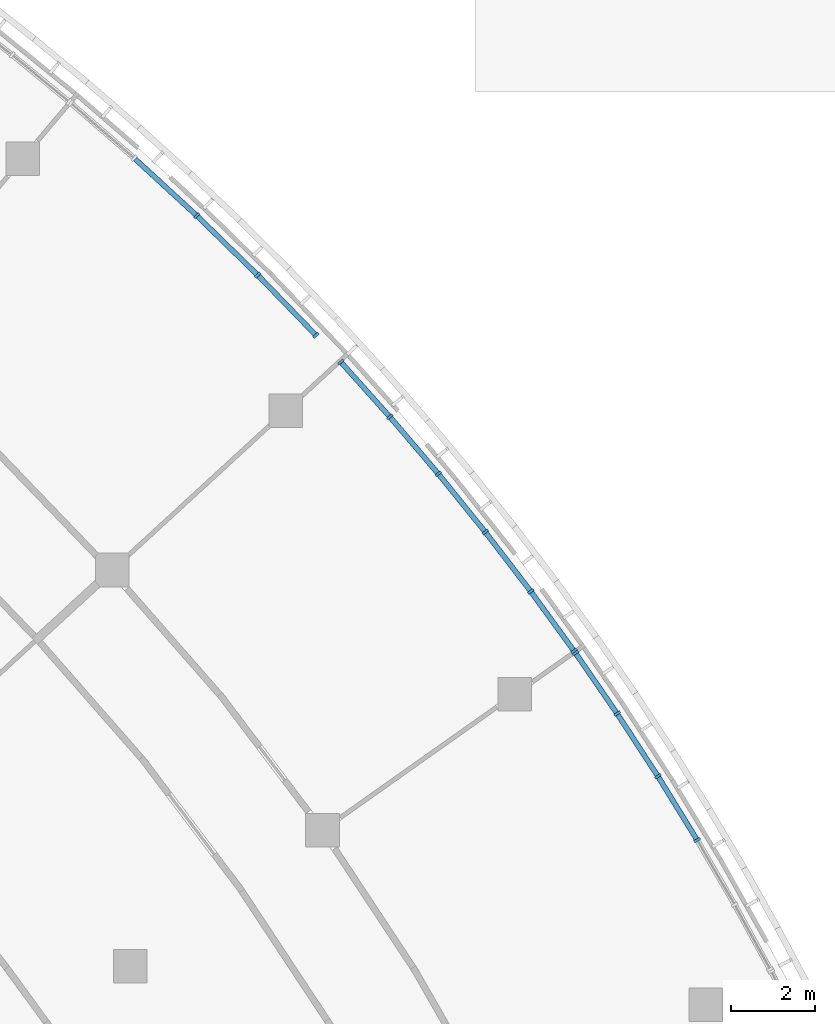
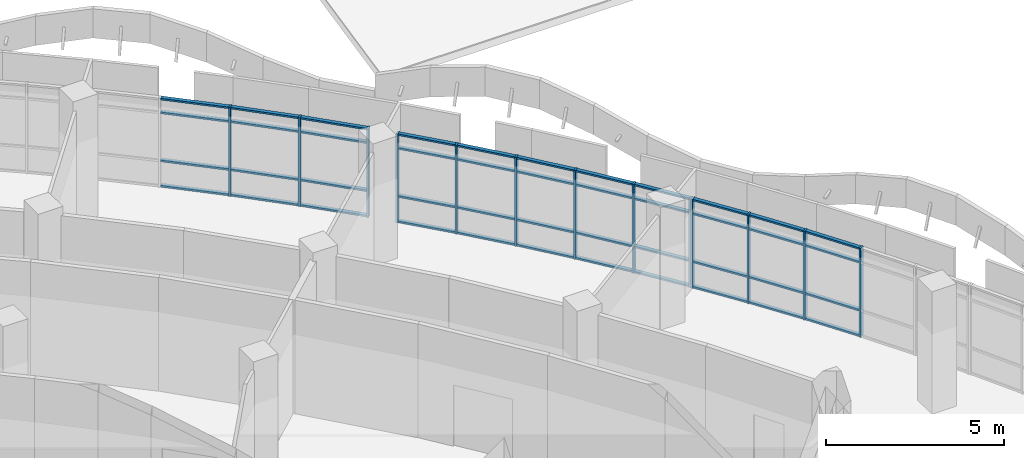
# One storey, part 14 of 137: 57 members, 3 elements without a shape of their own.
"""IFC4 building model written with IfcOpenShell, lengths in metres."""

from ifc_helpers import new_model, si_unit, direction, frame, origin, origin_2d, place, context, subcontext, project, spatial, rectangle, extrude, material, material_profile, profile_set, type_object, element, aggregate, save


model = new_model("IFC4")

# Units and contexts
model_context = context("Model", 3, precision=1e-05, world=origin(), true_north=direction((0.0, 1.0)))
body_context = subcontext(model_context, "Body", "Model", "MODEL_VIEW")
ifc_project = project(units=[si_unit("LENGTHUNIT", "METRE"), si_unit("AREAUNIT", "SQUARE_METRE"), si_unit("VOLUMEUNIT", "CUBIC_METRE"), si_unit("PLANEANGLEUNIT", "RADIAN"), si_unit("MASSUNIT", "GRAM", prefix="KILO")], contexts=[model_context])

# Site, building, storey
site_placement = place(None, origin())
site = spatial("IfcSite", under=ifc_project, at=site_placement, CompositionType="ELEMENT")
building_placement = place(site_placement, origin())
building = spatial("IfcBuilding", under=site, at=building_placement, Name="Bougainvillea Quay General Hospital", CompositionType="ELEMENT")
storey_placement = place(building_placement, frame((0.0, 0.0, 16.800048828125)))
storey = spatial("IfcBuildingStorey", under=building, at=storey_placement, Name="L03", CompositionType="ELEMENT", Elevation=16.800048828125)

# Curtain wall, members
ifc_material_1 = material(Name="Aluminium curtain wall system, powder-coated glazed", Category="aluminium")
curtain_wall_type = type_object("IfcCurtainWallType", Name="Unitised curtain wall CW-2100", PredefinedType="NOTDEFINED", material=ifc_material_1)
curtain_wall_1_placement = place(storey_placement, origin())
curtain_wall_1 = element("IfcCurtainWall", 1, at=curtain_wall_1_placement, inside=storey, type_object=curtain_wall_type, Name="CW-E03 a10b2", PredefinedType="NOTDEFINED")
ifc_material_2 = material(Name="Aluminium mullion, powder-coated charcoal", Category="aluminium")
ifc_material_profile_1 = material_profile(ifc_material_2, rectangle(XDim=0.159912109375, YDim=0.06005859375, at=origin_2d()))
ifc_profile_set_1 = profile_set([ifc_material_profile_1], Name="Aluminium mullion, powder-coated charcoal")
member_type_1 = type_object("IfcMemberType", Name="Curtain wall mullion 160x60", PredefinedType="MULLION", material=ifc_profile_set_1)
member_1_placement = place(storey_placement, frame((157.167236328125, 72.638427734375, 0.0), z_axis=(0.0, 0.0, 1.0), x_axis=(0.68769902724, 0.725995900769, 0.0)))
member_1 = element("IfcMember", 2, at=member_1_placement, type_object=member_type_1, Name="CW-E03 mullion 3", PredefinedType="MULLION", context=body_context, shape_type="SweptSolid", body=[
    extrude(rectangle(XDim=0.159912109375, YDim=0.06005859375, at=origin_2d()), origin(), (0.0, 0.0, 1.0), 3.050048828125),
])
member_2_placement = place(storey_placement, frame((158.61572265625, 71.225830078125, 0.0), z_axis=(0.0, 0.0, 1.0), x_axis=(0.708467492341, 0.705743446513, 0.0)))
member_2 = element("IfcMember", 3, at=member_2_placement, type_object=member_type_1, Name="CW-E03 mullion 4", PredefinedType="MULLION", context=body_context, shape_type="SweptSolid", body=[
    extrude(rectangle(XDim=0.159912109375, YDim=0.06005859375, at=origin_2d()), origin(), (0.0, 0.0, 1.0), 3.050048828125),
])
member_3_placement = place(storey_placement, frame((160.001953125, 69.793212890625, 0.0), z_axis=(0.0, 0.0, 1.0), x_axis=(0.718629234351, 0.695393430754, 0.0)))
member_3 = element("IfcMember", 4, at=member_3_placement, type_object=member_type_1, Name="CW-E03 mullion 5", PredefinedType="MULLION", context=body_context, shape_type="SweptSolid", body=[
    extrude(rectangle(XDim=0.159912109375, YDim=0.06005859375, at=origin_2d()), origin(), (0.0, 0.0, 1.0), 3.050048828125),
])

curtain_wall_2_placement = place(storey_placement, origin())
curtain_wall_2 = element("IfcCurtainWall", 5, at=curtain_wall_2_placement, inside=storey, type_object=curtain_wall_type, Name="CW-E04 a14b3", PredefinedType="NOTDEFINED")
member_4_placement = place(storey_placement, frame((160.5927734375, 69.15771484375, 0.0), z_axis=(0.0, 0.0, 1.0), x_axis=(0.745094309044, 0.666959122159, 0.0)))
member_4 = element("IfcMember", 6, at=member_4_placement, type_object=member_type_1, Name="CW-E04 mullion 1", PredefinedType="MULLION", context=body_context, shape_type="SweptSolid", body=[
    extrude(rectangle(XDim=0.159912109375, YDim=0.06005859375, at=origin_2d()), origin(), (0.0, 0.0, 1.0), 3.050048828125),
])
member_5_placement = place(storey_placement, frame((161.760009765625, 67.853759765625, 0.0), z_axis=(0.0, 0.0, 1.0), x_axis=(0.753545034628, 0.657396288997, 0.0)))
member_5 = element("IfcMember", 7, at=member_5_placement, type_object=member_type_1, Name="CW-E04 mullion 2", PredefinedType="MULLION", context=body_context, shape_type="SweptSolid", body=[
    extrude(rectangle(XDim=0.159912109375, YDim=0.06005859375, at=origin_2d()), origin(), (0.0, 0.0, 1.0), 3.050048828125),
])
member_6_placement = place(storey_placement, frame((162.913330078125, 66.497314453125, 0.0), z_axis=(0.0, 0.0, 1.0), x_axis=(0.7700769567, 0.637951001849, 0.0)))
member_6 = element("IfcMember", 8, at=member_6_placement, type_object=member_type_1, Name="CW-E04 mullion 3", PredefinedType="MULLION", context=body_context, shape_type="SweptSolid", body=[
    extrude(rectangle(XDim=0.159912109375, YDim=0.06005859375, at=origin_2d()), origin(), (0.0, 0.0, 1.0), 3.050048828125),
])
member_7_placement = place(storey_placement, frame((164.03125, 65.112060546875, 0.0), z_axis=(0.0, 0.0, 1.0), x_axis=(0.786107232438, 0.618090138337, 0.0)))
member_7 = element("IfcMember", 9, at=member_7_placement, type_object=member_type_1, Name="CW-E04 mullion 4", PredefinedType="MULLION", context=body_context, shape_type="SweptSolid", body=[
    extrude(rectangle(XDim=0.159912109375, YDim=0.06005859375, at=origin_2d()), origin(), (0.0, 0.0, 1.0), 3.050048828125),
])
member_8_placement = place(storey_placement, frame((165.11376953125, 63.69873046875, 0.0), z_axis=(0.0, 0.0, 1.0), x_axis=(0.801625419341, 0.597826636297, 0.0)))
member_8 = element("IfcMember", 10, at=member_8_placement, type_object=member_type_1, Name="CW-E04 mullion 5", PredefinedType="MULLION", context=body_context, shape_type="SweptSolid", body=[
    extrude(rectangle(XDim=0.159912109375, YDim=0.06005859375, at=origin_2d()), origin(), (0.0, 0.0, 1.0), 3.050048828125),
])
member_9_placement = place(storey_placement, frame((166.14208984375, 62.282470703125, 0.0), z_axis=(0.0, 0.0, 1.0), x_axis=(0.809189307232, 0.587548010856, 0.0)))
member_9 = element("IfcMember", 11, at=member_9_placement, type_object=member_type_1, Name="CW-E04 mullion 6", PredefinedType="MULLION", context=body_context, shape_type="SweptSolid", body=[
    extrude(rectangle(XDim=0.159912109375, YDim=0.06005859375, at=origin_2d()), origin(), (0.0, 0.0, 1.0), 3.050048828125),
])

curtain_wall_3_placement = place(storey_placement, origin())
curtain_wall_3 = element("IfcCurtainWall", 12, at=curtain_wall_3_placement, inside=storey, type_object=curtain_wall_type, Name="CW-E05 a14b4", PredefinedType="NOTDEFINED")
member_10_placement = place(storey_placement, frame((166.1767578125, 62.2333984375, 0.0), z_axis=(0.0, 0.0, 1.0), x_axis=(0.823920512723, 0.566705380876, 0.0)))
member_10 = element("IfcMember", 13, at=member_10_placement, type_object=member_type_1, Name="CW-E05 mullion 1", PredefinedType="MULLION", context=body_context, shape_type="SweptSolid", body=[
    extrude(rectangle(XDim=0.159912109375, YDim=0.06005859375, at=origin_2d()), origin(), (0.0, 0.0, 1.0), 3.050048828125),
])
member_11_placement = place(storey_placement, frame((167.168701171875, 60.791259765625, 0.0), z_axis=(0.0, 0.0, 1.0), x_axis=(0.831085431161, 0.556144770821, 0.0)))
member_11 = element("IfcMember", 14, at=member_11_placement, type_object=member_type_1, Name="CW-E05 mullion 2", PredefinedType="MULLION", context=body_context, shape_type="SweptSolid", body=[
    extrude(rectangle(XDim=0.159912109375, YDim=0.06005859375, at=origin_2d()), origin(), (0.0, 0.0, 1.0), 3.050048828125),
])
member_12_placement = place(storey_placement, frame((168.1396484375, 59.29931640625, 0.0), z_axis=(0.0, 0.0, 1.0), x_axis=(0.84500806513, 0.534753559937, 0.0)))
member_12 = element("IfcMember", 15, at=member_12_placement, type_object=member_type_1, Name="CW-E05 mullion 3", PredefinedType="MULLION", context=body_context, shape_type="SweptSolid", body=[
    extrude(rectangle(XDim=0.159912109375, YDim=0.06005859375, at=origin_2d()), origin(), (0.0, 0.0, 1.0), 3.050048828125),
])
member_13_placement = place(storey_placement, frame((169.072509765625, 57.782958984375, 0.0), z_axis=(0.0, 0.0, 1.0), x_axis=(0.858380240869, 0.513013997943, 0.0)))
member_13 = element("IfcMember", 16, at=member_13_placement, type_object=member_type_1, Name="CW-E05 mullion 4", PredefinedType="MULLION", context=body_context, shape_type="SweptSolid", body=[
    extrude(rectangle(XDim=0.159912109375, YDim=0.06005859375, at=origin_2d()), origin(), (0.0, 0.0, 1.0), 3.050048828125),
])

# Member
ifc_material_3 = material(Name="Aluminium transom, powder-coated charcoal", Category="aluminium")
ifc_material_profile_2 = material_profile(ifc_material_3, rectangle(XDim=0.1201171875, YDim=0.06005859375, at=origin_2d()))
ifc_profile_set_2 = profile_set([ifc_material_profile_2], Name="Aluminium transom, powder-coated charcoal")
member_type_2 = type_object("IfcMemberType", Name="Curtain wall transom 120x60", PredefinedType="USERDEFINED", material=ifc_profile_set_2)
member_14_placement = place(storey_placement, frame((155.7001953125, 73.988037109375, 0.030029296875), z_axis=(0.735903748974, -0.677086163089, 0.0), x_axis=(0.677086163089, 0.735903748974, 0.0)))
member_14 = element("IfcMember", 17, at=member_14_placement, type_object=member_type_2, Name="CW-E03 transom 2.1", ObjectType="TRANSOM", PredefinedType="USERDEFINED", context=body_context, shape_type="SweptSolid", body=[
    extrude(rectangle(XDim=0.1201171875, YDim=0.06005859375, at=origin_2d()), origin(), (0.0, 0.0, 1.0), 1.96337890625),
])

member_15_placement = place(storey_placement, frame((155.7001953125, 73.988037109375, 0.89990234375), z_axis=(0.735903748974, -0.677086163089, 0.0), x_axis=(0.677086163089, 0.735903748974, 0.0)))
member_15 = element("IfcMember", 18, at=member_15_placement, type_object=member_type_2, Name="CW-E03 transom 2.2", ObjectType="TRANSOM", PredefinedType="USERDEFINED", context=body_context, shape_type="SweptSolid", body=[
    extrude(rectangle(XDim=0.1201171875, YDim=0.06005859375, at=origin_2d()), origin(), (0.0, 0.0, 1.0), 1.96337890625),
])

member_16_placement = place(storey_placement, frame((155.7001953125, 73.988037109375, 2.550048828125), z_axis=(0.735903748974, -0.677086163089, 0.0), x_axis=(0.677086163089, 0.735903748974, 0.0)))
member_16 = element("IfcMember", 19, at=member_16_placement, type_object=member_type_2, Name="CW-E03 transom 2.3", ObjectType="TRANSOM", PredefinedType="USERDEFINED", context=body_context, shape_type="SweptSolid", body=[
    extrude(rectangle(XDim=0.1201171875, YDim=0.06005859375, at=origin_2d()), origin(), (0.0, 0.0, 1.0), 1.96337890625),
])

member_17_placement = place(storey_placement, frame((155.7001953125, 73.988037109375, 3.02001953125), z_axis=(0.735903748974, -0.677086163089, 0.0), x_axis=(0.677086163089, 0.735903748974, 0.0)))
member_17 = element("IfcMember", 20, at=member_17_placement, type_object=member_type_2, Name="CW-E03 transom 2.4", ObjectType="TRANSOM", PredefinedType="USERDEFINED", context=body_context, shape_type="SweptSolid", body=[
    extrude(rectangle(XDim=0.1201171875, YDim=0.06005859375, at=origin_2d()), origin(), (0.0, 0.0, 1.0), 1.96337890625),
])

member_18_placement = place(storey_placement, frame((157.188720703125, 72.617431640625, 0.030029296875), z_axis=(0.71594263895, -0.698159106317, 0.0), x_axis=(0.698159106317, 0.71594263895, 0.0)))
member_18 = element("IfcMember", 21, at=member_18_placement, type_object=member_type_2, Name="CW-E03 transom 3.1", ObjectType="TRANSOM", PredefinedType="USERDEFINED", context=body_context, shape_type="SweptSolid", body=[
    extrude(rectangle(XDim=0.1201171875, YDim=0.06005859375, at=origin_2d()), origin(), (0.0, 0.0, 1.0), 1.963134765625),
])

member_19_placement = place(storey_placement, frame((157.188720703125, 72.617431640625, 0.89990234375), z_axis=(0.71594263895, -0.698159106317, 0.0), x_axis=(0.698159106317, 0.71594263895, 0.0)))
member_19 = element("IfcMember", 22, at=member_19_placement, type_object=member_type_2, Name="CW-E03 transom 3.2", ObjectType="TRANSOM", PredefinedType="USERDEFINED", context=body_context, shape_type="SweptSolid", body=[
    extrude(rectangle(XDim=0.1201171875, YDim=0.06005859375, at=origin_2d()), origin(), (0.0, 0.0, 1.0), 1.963134765625),
])

member_20_placement = place(storey_placement, frame((157.188720703125, 72.617431640625, 2.550048828125), z_axis=(0.71594263895, -0.698159106317, 0.0), x_axis=(0.698159106317, 0.71594263895, 0.0)))
member_20 = element("IfcMember", 23, at=member_20_placement, type_object=member_type_2, Name="CW-E03 transom 3.3", ObjectType="TRANSOM", PredefinedType="USERDEFINED", context=body_context, shape_type="SweptSolid", body=[
    extrude(rectangle(XDim=0.1201171875, YDim=0.06005859375, at=origin_2d()), origin(), (0.0, 0.0, 1.0), 1.963134765625),
])

member_21_placement = place(storey_placement, frame((157.188720703125, 72.617431640625, 3.02001953125), z_axis=(0.71594263895, -0.698159106317, 0.0), x_axis=(0.698159106317, 0.71594263895, 0.0)))
member_21 = element("IfcMember", 24, at=member_21_placement, type_object=member_type_2, Name="CW-E03 transom 3.4", ObjectType="TRANSOM", PredefinedType="USERDEFINED", context=body_context, shape_type="SweptSolid", body=[
    extrude(rectangle(XDim=0.1201171875, YDim=0.06005859375, at=origin_2d()), origin(), (0.0, 0.0, 1.0), 1.963134765625),
])

member_22_placement = place(storey_placement, frame((158.63671875, 71.204345703125, 0.030029296875), z_axis=(0.695394082223, -0.718628603946, 0.0), x_axis=(0.718628603946, 0.695394082223, 0.0)))
member_22 = element("IfcMember", 25, at=member_22_placement, type_object=member_type_2, Name="CW-E03 transom 4.1", ObjectType="TRANSOM", PredefinedType="USERDEFINED", context=body_context, shape_type="SweptSolid", body=[
    extrude(rectangle(XDim=0.1201171875, YDim=0.06005859375, at=origin_2d()), origin(), (0.0, 0.0, 1.0), 1.933349609375),
])

member_23_placement = place(storey_placement, frame((158.63671875, 71.204345703125, 0.89990234375), z_axis=(0.695394082223, -0.718628603946, 0.0), x_axis=(0.718628603946, 0.695394082223, 0.0)))
member_23 = element("IfcMember", 26, at=member_23_placement, type_object=member_type_2, Name="CW-E03 transom 4.2", ObjectType="TRANSOM", PredefinedType="USERDEFINED", context=body_context, shape_type="SweptSolid", body=[
    extrude(rectangle(XDim=0.1201171875, YDim=0.06005859375, at=origin_2d()), origin(), (0.0, 0.0, 1.0), 1.933349609375),
])

member_24_placement = place(storey_placement, frame((158.63671875, 71.204345703125, 2.550048828125), z_axis=(0.695394082223, -0.718628603946, 0.0), x_axis=(0.718628603946, 0.695394082223, 0.0)))
member_24 = element("IfcMember", 27, at=member_24_placement, type_object=member_type_2, Name="CW-E03 transom 4.3", ObjectType="TRANSOM", PredefinedType="USERDEFINED", context=body_context, shape_type="SweptSolid", body=[
    extrude(rectangle(XDim=0.1201171875, YDim=0.06005859375, at=origin_2d()), origin(), (0.0, 0.0, 1.0), 1.933349609375),
])

member_25_placement = place(storey_placement, frame((158.63671875, 71.204345703125, 3.02001953125), z_axis=(0.695394082223, -0.718628603946, 0.0), x_axis=(0.718628603946, 0.695394082223, 0.0)))
member_25 = element("IfcMember", 28, at=member_25_placement, type_object=member_type_2, Name="CW-E03 transom 4.4", ObjectType="TRANSOM", PredefinedType="USERDEFINED", context=body_context, shape_type="SweptSolid", body=[
    extrude(rectangle(XDim=0.1201171875, YDim=0.06005859375, at=origin_2d()), origin(), (0.0, 0.0, 1.0), 1.933349609375),
])

aggregate(curtain_wall_1, [member_1, member_2, member_3, member_14, member_15, member_16, member_17, member_18, member_19, member_20, member_21, member_22, member_23, member_24, member_25])

member_26_placement = place(storey_placement, frame((160.61279296875, 69.135498046875, 0.030029296875), z_axis=(0.666879297012, -0.745165755531, 0.0), x_axis=(0.745165755531, 0.666879297012, 0.0)))
member_26 = element("IfcMember", 29, at=member_26_placement, type_object=member_type_2, Name="CW-E04 transom 1.1", ObjectType="TRANSOM", PredefinedType="USERDEFINED", context=body_context, shape_type="SweptSolid", body=[
    extrude(rectangle(XDim=0.1201171875, YDim=0.06005859375, at=origin_2d()), origin(), (0.0, 0.0, 1.0), 1.690185546875),
])

member_27_placement = place(storey_placement, frame((160.61279296875, 69.135498046875, 0.89990234375), z_axis=(0.666879297012, -0.745165755531, 0.0), x_axis=(0.745165755531, 0.666879297012, 0.0)))
member_27 = element("IfcMember", 30, at=member_27_placement, type_object=member_type_2, Name="CW-E04 transom 1.2", ObjectType="TRANSOM", PredefinedType="USERDEFINED", context=body_context, shape_type="SweptSolid", body=[
    extrude(rectangle(XDim=0.1201171875, YDim=0.06005859375, at=origin_2d()), origin(), (0.0, 0.0, 1.0), 1.690185546875),
])

member_28_placement = place(storey_placement, frame((160.61279296875, 69.135498046875, 2.550048828125), z_axis=(0.666879297012, -0.745165755531, 0.0), x_axis=(0.745165755531, 0.666879297012, 0.0)))
member_28 = element("IfcMember", 31, at=member_28_placement, type_object=member_type_2, Name="CW-E04 transom 1.3", ObjectType="TRANSOM", PredefinedType="USERDEFINED", context=body_context, shape_type="SweptSolid", body=[
    extrude(rectangle(XDim=0.1201171875, YDim=0.06005859375, at=origin_2d()), origin(), (0.0, 0.0, 1.0), 1.690185546875),
])

member_29_placement = place(storey_placement, frame((160.61279296875, 69.135498046875, 3.02001953125), z_axis=(0.666879297012, -0.745165755531, 0.0), x_axis=(0.745165755531, 0.666879297012, 0.0)))
member_29 = element("IfcMember", 32, at=member_29_placement, type_object=member_type_2, Name="CW-E04 transom 1.4", ObjectType="TRANSOM", PredefinedType="USERDEFINED", context=body_context, shape_type="SweptSolid", body=[
    extrude(rectangle(XDim=0.1201171875, YDim=0.06005859375, at=origin_2d()), origin(), (0.0, 0.0, 1.0), 1.690185546875),
])

member_30_placement = place(storey_placement, frame((161.779541015625, 67.830810546875, 0.030029296875), z_axis=(0.647747288615, -0.761855268468, 0.0), x_axis=(0.761855268468, 0.647747288615, 0.0)))
member_30 = element("IfcMember", 33, at=member_30_placement, type_object=member_type_2, Name="CW-E04 transom 2.1", ObjectType="TRANSOM", PredefinedType="USERDEFINED", context=body_context, shape_type="SweptSolid", body=[
    extrude(rectangle(XDim=0.1201171875, YDim=0.06005859375, at=origin_2d()), origin(), (0.0, 0.0, 1.0), 1.72021484375),
])

member_31_placement = place(storey_placement, frame((161.779541015625, 67.830810546875, 0.89990234375), z_axis=(0.647747288615, -0.761855268468, 0.0), x_axis=(0.761855268468, 0.647747288615, 0.0)))
member_31 = element("IfcMember", 34, at=member_31_placement, type_object=member_type_2, Name="CW-E04 transom 2.2", ObjectType="TRANSOM", PredefinedType="USERDEFINED", context=body_context, shape_type="SweptSolid", body=[
    extrude(rectangle(XDim=0.1201171875, YDim=0.06005859375, at=origin_2d()), origin(), (0.0, 0.0, 1.0), 1.72021484375),
])

member_32_placement = place(storey_placement, frame((161.779541015625, 67.830810546875, 2.550048828125), z_axis=(0.647747288615, -0.761855268468, 0.0), x_axis=(0.761855268468, 0.647747288615, 0.0)))
member_32 = element("IfcMember", 35, at=member_32_placement, type_object=member_type_2, Name="CW-E04 transom 2.3", ObjectType="TRANSOM", PredefinedType="USERDEFINED", context=body_context, shape_type="SweptSolid", body=[
    extrude(rectangle(XDim=0.1201171875, YDim=0.06005859375, at=origin_2d()), origin(), (0.0, 0.0, 1.0), 1.72021484375),
])

member_33_placement = place(storey_placement, frame((161.779541015625, 67.830810546875, 3.02001953125), z_axis=(0.647747288615, -0.761855268468, 0.0), x_axis=(0.761855268468, 0.647747288615, 0.0)))
member_33 = element("IfcMember", 36, at=member_33_placement, type_object=member_type_2, Name="CW-E04 transom 2.4", ObjectType="TRANSOM", PredefinedType="USERDEFINED", context=body_context, shape_type="SweptSolid", body=[
    extrude(rectangle(XDim=0.1201171875, YDim=0.06005859375, at=origin_2d()), origin(), (0.0, 0.0, 1.0), 1.72021484375),
])

member_34_placement = place(storey_placement, frame((162.93212890625, 66.47412109375, 0.030029296875), z_axis=(0.628029823491, -0.778189270554, 0.0), x_axis=(0.778189270554, 0.628029823491, 0.0)))
member_34 = element("IfcMember", 37, at=member_34_placement, type_object=member_type_2, Name="CW-E04 transom 3.1", ObjectType="TRANSOM", PredefinedType="USERDEFINED", context=body_context, shape_type="SweptSolid", body=[
    extrude(rectangle(XDim=0.1201171875, YDim=0.06005859375, at=origin_2d()), origin(), (0.0, 0.0, 1.0), 1.72021484375),
])

member_35_placement = place(storey_placement, frame((162.93212890625, 66.47412109375, 0.89990234375), z_axis=(0.628029823491, -0.778189270554, 0.0), x_axis=(0.778189270554, 0.628029823491, 0.0)))
member_35 = element("IfcMember", 38, at=member_35_placement, type_object=member_type_2, Name="CW-E04 transom 3.2", ObjectType="TRANSOM", PredefinedType="USERDEFINED", context=body_context, shape_type="SweptSolid", body=[
    extrude(rectangle(XDim=0.1201171875, YDim=0.06005859375, at=origin_2d()), origin(), (0.0, 0.0, 1.0), 1.72021484375),
])

member_36_placement = place(storey_placement, frame((162.93212890625, 66.47412109375, 2.550048828125), z_axis=(0.628029823491, -0.778189270554, 0.0), x_axis=(0.778189270554, 0.628029823491, 0.0)))
member_36 = element("IfcMember", 39, at=member_36_placement, type_object=member_type_2, Name="CW-E04 transom 3.3", ObjectType="TRANSOM", PredefinedType="USERDEFINED", context=body_context, shape_type="SweptSolid", body=[
    extrude(rectangle(XDim=0.1201171875, YDim=0.06005859375, at=origin_2d()), origin(), (0.0, 0.0, 1.0), 1.72021484375),
])

member_37_placement = place(storey_placement, frame((162.93212890625, 66.47412109375, 3.02001953125), z_axis=(0.628029823491, -0.778189270554, 0.0), x_axis=(0.778189270554, 0.628029823491, 0.0)))
member_37 = element("IfcMember", 40, at=member_37_placement, type_object=member_type_2, Name="CW-E04 transom 3.4", ObjectType="TRANSOM", PredefinedType="USERDEFINED", context=body_context, shape_type="SweptSolid", body=[
    extrude(rectangle(XDim=0.1201171875, YDim=0.06005859375, at=origin_2d()), origin(), (0.0, 0.0, 1.0), 1.72021484375),
])

member_38_placement = place(storey_placement, frame((164.049560546875, 65.08837890625, 0.030029296875), z_axis=(0.607939858347, -0.793983078304, 0.0), x_axis=(0.793983078304, 0.607939858347, 0.0)))
member_38 = element("IfcMember", 41, at=member_38_placement, type_object=member_type_2, Name="CW-E04 transom 4.1", ObjectType="TRANSOM", PredefinedType="USERDEFINED", context=body_context, shape_type="SweptSolid", body=[
    extrude(rectangle(XDim=0.1201171875, YDim=0.06005859375, at=origin_2d()), origin(), (0.0, 0.0, 1.0), 1.720458984375),
])

member_39_placement = place(storey_placement, frame((164.049560546875, 65.08837890625, 0.89990234375), z_axis=(0.607939858347, -0.793983078304, 0.0), x_axis=(0.793983078304, 0.607939858347, 0.0)))
member_39 = element("IfcMember", 42, at=member_39_placement, type_object=member_type_2, Name="CW-E04 transom 4.2", ObjectType="TRANSOM", PredefinedType="USERDEFINED", context=body_context, shape_type="SweptSolid", body=[
    extrude(rectangle(XDim=0.1201171875, YDim=0.06005859375, at=origin_2d()), origin(), (0.0, 0.0, 1.0), 1.720458984375),
])

member_40_placement = place(storey_placement, frame((164.049560546875, 65.08837890625, 2.550048828125), z_axis=(0.607939858347, -0.793983078304, 0.0), x_axis=(0.793983078304, 0.607939858347, 0.0)))
member_40 = element("IfcMember", 43, at=member_40_placement, type_object=member_type_2, Name="CW-E04 transom 4.3", ObjectType="TRANSOM", PredefinedType="USERDEFINED", context=body_context, shape_type="SweptSolid", body=[
    extrude(rectangle(XDim=0.1201171875, YDim=0.06005859375, at=origin_2d()), origin(), (0.0, 0.0, 1.0), 1.720458984375),
])

member_41_placement = place(storey_placement, frame((164.049560546875, 65.08837890625, 3.02001953125), z_axis=(0.607939858347, -0.793983078304, 0.0), x_axis=(0.793983078304, 0.607939858347, 0.0)))
member_41 = element("IfcMember", 44, at=member_41_placement, type_object=member_type_2, Name="CW-E04 transom 4.4", ObjectType="TRANSOM", PredefinedType="USERDEFINED", context=body_context, shape_type="SweptSolid", body=[
    extrude(rectangle(XDim=0.1201171875, YDim=0.06005859375, at=origin_2d()), origin(), (0.0, 0.0, 1.0), 1.720458984375),
])

member_42_placement = place(storey_placement, frame((165.13134765625, 63.67431640625, 0.030029296875), z_axis=(0.587587532685, -0.80916060917, 0.0), x_axis=(0.80916060917, 0.587587532685, 0.0)))
member_42 = element("IfcMember", 45, at=member_42_placement, type_object=member_type_2, Name="CW-E04 transom 5.1", ObjectType="TRANSOM", PredefinedType="USERDEFINED", context=body_context, shape_type="SweptSolid", body=[
    extrude(rectangle(XDim=0.1201171875, YDim=0.06005859375, at=origin_2d()), origin(), (0.0, 0.0, 1.0), 1.690185546875),
])

member_43_placement = place(storey_placement, frame((165.13134765625, 63.67431640625, 0.89990234375), z_axis=(0.587587532685, -0.80916060917, 0.0), x_axis=(0.80916060917, 0.587587532685, 0.0)))
member_43 = element("IfcMember", 46, at=member_43_placement, type_object=member_type_2, Name="CW-E04 transom 5.2", ObjectType="TRANSOM", PredefinedType="USERDEFINED", context=body_context, shape_type="SweptSolid", body=[
    extrude(rectangle(XDim=0.1201171875, YDim=0.06005859375, at=origin_2d()), origin(), (0.0, 0.0, 1.0), 1.690185546875),
])

member_44_placement = place(storey_placement, frame((165.13134765625, 63.67431640625, 2.550048828125), z_axis=(0.587587532685, -0.80916060917, 0.0), x_axis=(0.80916060917, 0.587587532685, 0.0)))
member_44 = element("IfcMember", 47, at=member_44_placement, type_object=member_type_2, Name="CW-E04 transom 5.3", ObjectType="TRANSOM", PredefinedType="USERDEFINED", context=body_context, shape_type="SweptSolid", body=[
    extrude(rectangle(XDim=0.1201171875, YDim=0.06005859375, at=origin_2d()), origin(), (0.0, 0.0, 1.0), 1.690185546875),
])

member_45_placement = place(storey_placement, frame((165.13134765625, 63.67431640625, 3.02001953125), z_axis=(0.587587532685, -0.80916060917, 0.0), x_axis=(0.80916060917, 0.587587532685, 0.0)))
member_45 = element("IfcMember", 48, at=member_45_placement, type_object=member_type_2, Name="CW-E04 transom 5.4", ObjectType="TRANSOM", PredefinedType="USERDEFINED", context=body_context, shape_type="SweptSolid", body=[
    extrude(rectangle(XDim=0.1201171875, YDim=0.06005859375, at=origin_2d()), origin(), (0.0, 0.0, 1.0), 1.690185546875),
])

aggregate(curtain_wall_2, [member_4, member_5, member_6, member_7, member_8, member_9, member_26, member_27, member_28, member_29, member_30, member_31, member_32, member_33, member_34, member_35, member_36, member_37, member_38, member_39, member_40, member_41, member_42, member_43, member_44, member_45])

member_46_placement = place(storey_placement, frame((166.19384765625, 62.208740234375, 0.030029296875), z_axis=(0.566675945588, -0.823940757999, 0.0), x_axis=(0.823940757999, 0.566675945588, 0.0)))
member_46 = element("IfcMember", 49, at=member_46_placement, type_object=member_type_2, Name="CW-E05 transom 1.1", ObjectType="TRANSOM", PredefinedType="USERDEFINED", context=body_context, shape_type="SweptSolid", body=[
    extrude(rectangle(XDim=0.1201171875, YDim=0.06005859375, at=origin_2d()), origin(), (0.0, 0.0, 1.0), 1.690185546875),
])

member_47_placement = place(storey_placement, frame((166.19384765625, 62.208740234375, 0.89990234375), z_axis=(0.566675945588, -0.823940757999, 0.0), x_axis=(0.823940757999, 0.566675945588, 0.0)))
member_47 = element("IfcMember", 50, at=member_47_placement, type_object=member_type_2, Name="CW-E05 transom 1.2", ObjectType="TRANSOM", PredefinedType="USERDEFINED", context=body_context, shape_type="SweptSolid", body=[
    extrude(rectangle(XDim=0.1201171875, YDim=0.06005859375, at=origin_2d()), origin(), (0.0, 0.0, 1.0), 1.690185546875),
])

member_48_placement = place(storey_placement, frame((166.19384765625, 62.208740234375, 2.550048828125), z_axis=(0.566675945588, -0.823940757999, 0.0), x_axis=(0.823940757999, 0.566675945588, 0.0)))
member_48 = element("IfcMember", 51, at=member_48_placement, type_object=member_type_2, Name="CW-E05 transom 1.3", ObjectType="TRANSOM", PredefinedType="USERDEFINED", context=body_context, shape_type="SweptSolid", body=[
    extrude(rectangle(XDim=0.1201171875, YDim=0.06005859375, at=origin_2d()), origin(), (0.0, 0.0, 1.0), 1.690185546875),
])

member_49_placement = place(storey_placement, frame((166.19384765625, 62.208740234375, 3.02001953125), z_axis=(0.566675945588, -0.823940757999, 0.0), x_axis=(0.823940757999, 0.566675945588, 0.0)))
member_49 = element("IfcMember", 52, at=member_49_placement, type_object=member_type_2, Name="CW-E05 transom 1.4", ObjectType="TRANSOM", PredefinedType="USERDEFINED", context=body_context, shape_type="SweptSolid", body=[
    extrude(rectangle(XDim=0.1201171875, YDim=0.06005859375, at=origin_2d()), origin(), (0.0, 0.0, 1.0), 1.690185546875),
])

member_50_placement = place(storey_placement, frame((167.18505859375, 60.76611328125, 0.030029296875), z_axis=(0.545462216901, -0.838135412647, 0.0), x_axis=(0.838135412647, 0.545462216901, 0.0)))
member_50 = element("IfcMember", 53, at=member_50_placement, type_object=member_type_2, Name="CW-E05 transom 2.1", ObjectType="TRANSOM", PredefinedType="USERDEFINED", context=body_context, shape_type="SweptSolid", body=[
    extrude(rectangle(XDim=0.1201171875, YDim=0.06005859375, at=origin_2d()), origin(), (0.0, 0.0, 1.0), 1.719970703125),
])

member_51_placement = place(storey_placement, frame((167.18505859375, 60.76611328125, 0.89990234375), z_axis=(0.545462216901, -0.838135412647, 0.0), x_axis=(0.838135412647, 0.545462216901, 0.0)))
member_51 = element("IfcMember", 54, at=member_51_placement, type_object=member_type_2, Name="CW-E05 transom 2.2", ObjectType="TRANSOM", PredefinedType="USERDEFINED", context=body_context, shape_type="SweptSolid", body=[
    extrude(rectangle(XDim=0.1201171875, YDim=0.06005859375, at=origin_2d()), origin(), (0.0, 0.0, 1.0), 1.719970703125),
])

member_52_placement = place(storey_placement, frame((167.18505859375, 60.76611328125, 2.550048828125), z_axis=(0.545462216901, -0.838135412647, 0.0), x_axis=(0.838135412647, 0.545462216901, 0.0)))
member_52 = element("IfcMember", 55, at=member_52_placement, type_object=member_type_2, Name="CW-E05 transom 2.3", ObjectType="TRANSOM", PredefinedType="USERDEFINED", context=body_context, shape_type="SweptSolid", body=[
    extrude(rectangle(XDim=0.1201171875, YDim=0.06005859375, at=origin_2d()), origin(), (0.0, 0.0, 1.0), 1.719970703125),
])

member_53_placement = place(storey_placement, frame((167.18505859375, 60.76611328125, 3.02001953125), z_axis=(0.545462216901, -0.838135412647, 0.0), x_axis=(0.838135412647, 0.545462216901, 0.0)))
member_53 = element("IfcMember", 56, at=member_53_placement, type_object=member_type_2, Name="CW-E05 transom 2.4", ObjectType="TRANSOM", PredefinedType="USERDEFINED", context=body_context, shape_type="SweptSolid", body=[
    extrude(rectangle(XDim=0.1201171875, YDim=0.06005859375, at=origin_2d()), origin(), (0.0, 0.0, 1.0), 1.719970703125),
])

member_54_placement = place(storey_placement, frame((168.155517578125, 59.273681640625, 0.030029296875), z_axis=(0.523899426945, -0.851780130343, 0.0), x_axis=(0.851780130343, 0.523899426945, 0.0)))
member_54 = element("IfcMember", 57, at=member_54_placement, type_object=member_type_2, Name="CW-E05 transom 3.1", ObjectType="TRANSOM", PredefinedType="USERDEFINED", context=body_context, shape_type="SweptSolid", body=[
    extrude(rectangle(XDim=0.1201171875, YDim=0.06005859375, at=origin_2d()), origin(), (0.0, 0.0, 1.0), 1.719970703125),
])

member_55_placement = place(storey_placement, frame((168.155517578125, 59.273681640625, 0.89990234375), z_axis=(0.523899426945, -0.851780130343, 0.0), x_axis=(0.851780130343, 0.523899426945, 0.0)))
member_55 = element("IfcMember", 58, at=member_55_placement, type_object=member_type_2, Name="CW-E05 transom 3.2", ObjectType="TRANSOM", PredefinedType="USERDEFINED", context=body_context, shape_type="SweptSolid", body=[
    extrude(rectangle(XDim=0.1201171875, YDim=0.06005859375, at=origin_2d()), origin(), (0.0, 0.0, 1.0), 1.719970703125),
])

member_56_placement = place(storey_placement, frame((168.155517578125, 59.273681640625, 2.550048828125), z_axis=(0.523899426945, -0.851780130343, 0.0), x_axis=(0.851780130343, 0.523899426945, 0.0)))
member_56 = element("IfcMember", 59, at=member_56_placement, type_object=member_type_2, Name="CW-E05 transom 3.3", ObjectType="TRANSOM", PredefinedType="USERDEFINED", context=body_context, shape_type="SweptSolid", body=[
    extrude(rectangle(XDim=0.1201171875, YDim=0.06005859375, at=origin_2d()), origin(), (0.0, 0.0, 1.0), 1.719970703125),
])

member_57_placement = place(storey_placement, frame((168.155517578125, 59.273681640625, 3.02001953125), z_axis=(0.523899426945, -0.851780130343, 0.0), x_axis=(0.851780130343, 0.523899426945, 0.0)))
member_57 = element("IfcMember", 60, at=member_57_placement, type_object=member_type_2, Name="CW-E05 transom 3.4", ObjectType="TRANSOM", PredefinedType="USERDEFINED", context=body_context, shape_type="SweptSolid", body=[
    extrude(rectangle(XDim=0.1201171875, YDim=0.06005859375, at=origin_2d()), origin(), (0.0, 0.0, 1.0), 1.719970703125),
])

aggregate(curtain_wall_3, [member_10, member_11, member_12, member_13, member_46, member_47, member_48, member_49, member_50, member_51, member_52, member_53, member_54, member_55, member_56, member_57])

save(model, "model.ifc")
